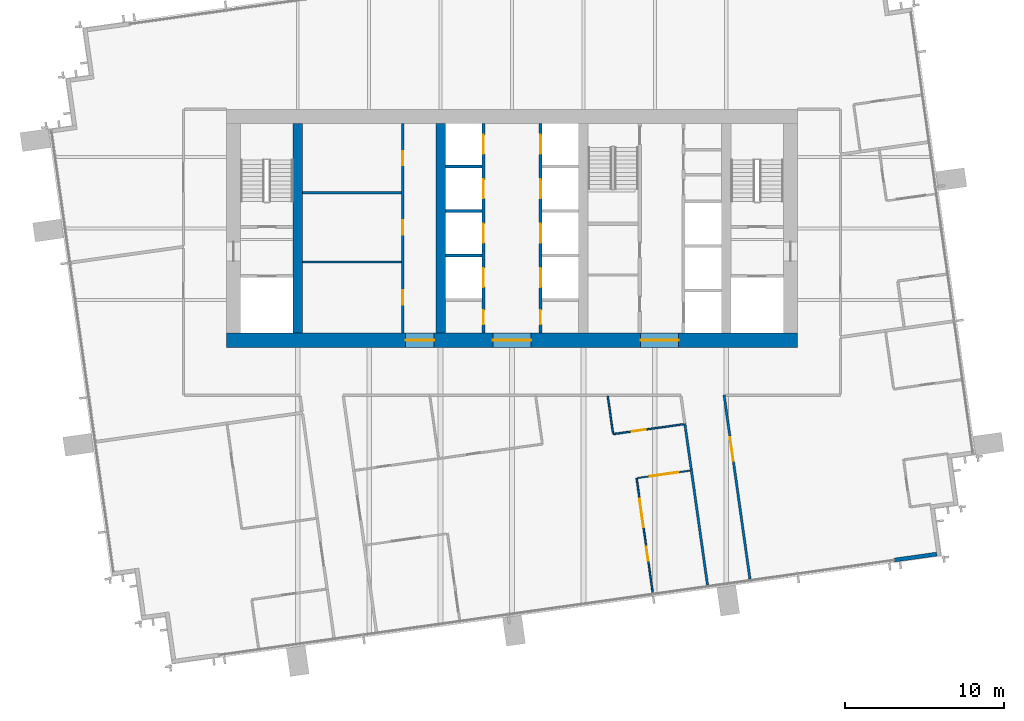
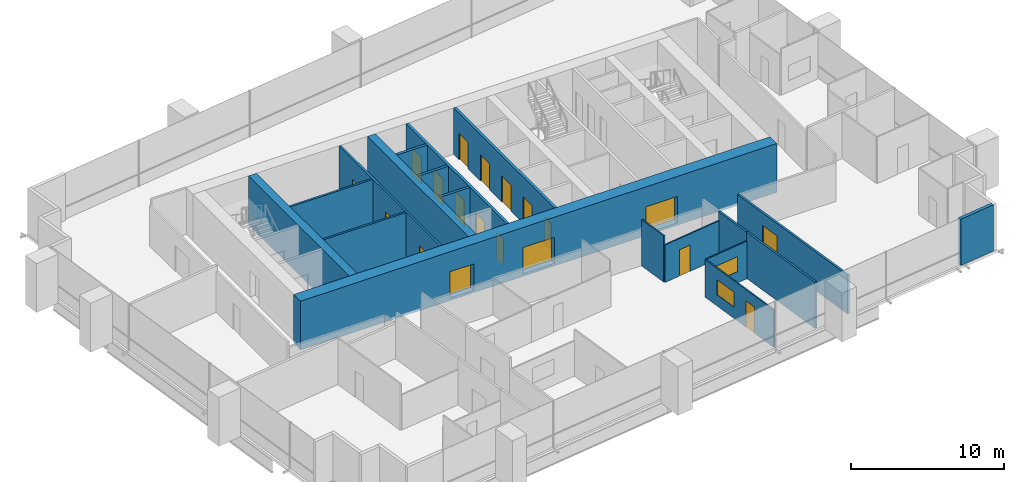
# One storey, part 10 of 14: 19 doors, 19 walls, 2 windows, 21 openings.
"""IFC4 building model written with IfcOpenShell, lengths in metres."""

from ifc_helpers import new_model, si_unit, direction, frame, frame_2d, origin, place, context, subcontext, project, spatial, rectangle, extrude, material, layer, layer_set, type_object, element, fill, save


model = new_model("IFC4")

# Units and contexts
model_context = context("Model", 3, precision=1e-05, world=origin(), true_north=direction((0.0, 1.0)))
body_context = subcontext(model_context, "Body", "Model", "MODEL_VIEW")
ifc_project = project(units=[si_unit("LENGTHUNIT", "METRE"), si_unit("AREAUNIT", "SQUARE_METRE"), si_unit("VOLUMEUNIT", "CUBIC_METRE"), si_unit("PLANEANGLEUNIT", "RADIAN"), si_unit("MASSUNIT", "GRAM", prefix="KILO")], contexts=[model_context])

# Site, building, storey
site_placement = place(None, origin())
site = spatial("IfcSite", under=ifc_project, at=site_placement, CompositionType="ELEMENT")
building_placement = place(site_placement, origin())
building = spatial("IfcBuilding", under=site, at=building_placement, Name="Rattan Terrace Tower", CompositionType="ELEMENT")
storey_placement = place(building_placement, frame((0.0, 0.0, 184.10009765625)))
storey = spatial("IfcBuildingStorey", under=building, at=storey_placement, Name="L42", CompositionType="ELEMENT", Elevation=184.10009765625)

# Wall, openings, doors
ifc_material_1 = material(Name="Gypsum board partition")
ifc_layer_1 = layer(ifc_material_1, 0.14990234375)
ifc_layer_set_1 = layer_set([ifc_layer_1], Name="Core partition 150")
wall_type_1 = type_object("IfcWallType", Name="Core partition 150", PredefinedType="PARTITIONING", material=ifc_layer_set_1)
wall_1_placement = place(storey_placement, frame((-6.875, -6.60009765625, 0.0), z_axis=(0.0, 0.0, 1.0), x_axis=(0.0, 1.0, 0.0)))
wall_1 = element("IfcWall", 1, at=wall_1_placement, inside=storey, type_object=wall_type_1, Name="Core room wall", PredefinedType="PARTITIONING", context=body_context, shape_type="SweptSolid", body=[
    extrude(rectangle(XDim=13.2001953125, YDim=0.14990234375, at=frame_2d((6.60009765625, 0.0))), origin(), (0.0, 0.0, 1.0), 3.699951171875),
])
opening_1_placement = place(wall_1_placement, frame((1.7939453125, 0.0, 0.0)))
opening_1 = element("IfcOpeningElement", 2, at=opening_1_placement, cuts=wall_1, Name="Opening L42-D005", PredefinedType="OPENING", context=body_context, shape_type="SweptSolid", body=[
    extrude(rectangle(XDim=0.89990234375, YDim=2.10009765625, at=frame_2d((0.449951171875, 1.050048828125))), frame((0.0, 0.08544921875, 0.0), z_axis=(0.0, -1.0, 0.0), x_axis=(1.0, 0.0, 0.0)), (0.0, 0.0, 1.0), 0.1708984375),
])
opening_2_placement = place(wall_1_placement, frame((6.216064453125, 0.0, 0.0)))
opening_2 = element("IfcOpeningElement", 3, at=opening_2_placement, cuts=wall_1, Name="Opening L42-D006", PredefinedType="OPENING", context=body_context, shape_type="SweptSolid", body=[
    extrude(rectangle(XDim=0.89990234375, YDim=2.10009765625, at=frame_2d((0.449951171875, 1.050048828125))), frame((0.0, 0.08544921875, 0.0), z_axis=(0.0, -1.0, 0.0), x_axis=(1.0, 0.0, 0.0)), (0.0, 0.0, 1.0), 0.1708984375),
])
opening_3_placement = place(wall_1_placement, frame((10.572021484375, 0.0, 0.0)))
opening_3 = element("IfcOpeningElement", 4, at=opening_3_placement, cuts=wall_1, Name="Opening L42-D007", PredefinedType="OPENING", context=body_context, shape_type="SweptSolid", body=[
    extrude(rectangle(XDim=0.89990234375, YDim=2.10009765625, at=frame_2d((0.449951171875, 1.050048828125))), frame((0.0, 0.08544921875, 0.0), z_axis=(0.0, -1.0, 0.0), x_axis=(1.0, 0.0, 0.0)), (0.0, 0.0, 1.0), 0.1708984375),
])
ifc_material_2 = material(Name="Hollow-metal fire door leaf")
door_type_1 = type_object("IfcDoorType", Name="Core service room door 900", OperationType="NOTDEFINED", PredefinedType="DOOR", material=ifc_material_2)
door_1_placement = place(opening_1_placement, origin())
door_1 = element("IfcDoor", 5, at=door_1_placement, inside=storey, type_object=door_type_1, Name="Door L42-D005", OperationType="SINGLE_SWING_LEFT", OverallHeight=2.10009765625, OverallWidth=0.89990234375, PredefinedType="DOOR", context=body_context, shape_type="SweptSolid", body=[
    extrude(rectangle(XDim=0.89990234375, YDim=2.10009765625, at=frame_2d((0.449951171875, 1.050048828125))), frame((0.0, 0.02490234375, 0.0), z_axis=(0.0, -1.0, 0.0), x_axis=(1.0, 0.0, 0.0)), (0.0, 0.0, 1.0), 0.050048828125),
])
fill(opening_1, door_1)
door_2_placement = place(opening_2_placement, origin())
door_2 = element("IfcDoor", 6, at=door_2_placement, inside=storey, type_object=door_type_1, Name="Door L42-D006", OperationType="SINGLE_SWING_RIGHT", OverallHeight=2.10009765625, OverallWidth=0.89990234375, PredefinedType="DOOR", context=body_context, shape_type="SweptSolid", body=[
    extrude(rectangle(XDim=0.89990234375, YDim=2.10009765625, at=frame_2d((0.449951171875, 1.050048828125))), frame((0.0, 0.02490234375, 0.0), z_axis=(0.0, -1.0, 0.0), x_axis=(1.0, 0.0, 0.0)), (0.0, 0.0, 1.0), 0.050048828125),
])
fill(opening_2, door_2)
door_3_placement = place(opening_3_placement, origin())
door_3 = element("IfcDoor", 7, at=door_3_placement, inside=storey, type_object=door_type_1, Name="Door L42-D007", OperationType="SINGLE_SWING_LEFT", OverallHeight=2.10009765625, OverallWidth=0.89990234375, PredefinedType="DOOR", context=body_context, shape_type="SweptSolid", body=[
    extrude(rectangle(XDim=0.89990234375, YDim=2.10009765625, at=frame_2d((0.449951171875, 1.050048828125))), frame((0.0, 0.02490234375, 0.0), z_axis=(0.0, -1.0, 0.0), x_axis=(1.0, 0.0, 0.0)), (0.0, 0.0, 1.0), 0.050048828125),
])
fill(opening_3, door_3)

# Walls
for number, where, z_axis, x_axis, name in (
    (8, (-13.199951171875, -2.112060546875, 0.0), (0.0, 0.0, 1.0), (1.0, 0.0, 0.0), "Core room wall"),
    (9, (-13.199951171875, 2.243896484375, 0.0), (0.0, 0.0, 1.0), (1.0, 0.0, 0.0), "Core room wall"),
):
    element("IfcWall", number, at=place(storey_placement, frame(where, z_axis=z_axis, x_axis=x_axis)), inside=storey, type_object=wall_type_1, Name=name, PredefinedType="PARTITIONING", context=body_context, shape_type="SweptSolid", body=[
        extrude(rectangle(XDim=6.25, YDim=0.14990234375, at=frame_2d((3.125, 0.0))), origin(), (0.0, 0.0, 1.0), 3.699951171875),
    ])

# Wall, openings, doors
ifc_material_3 = material(Name="Concrete C60/75", Category="concrete")
ifc_layer_2 = layer(ifc_material_3, 0.89990234375)
ifc_layer_set_2 = layer_set([ifc_layer_2], Name="Core ring wall 900 C60/75")
wall_type_2 = type_object("IfcWallType", Name="Core ring wall 900 C60/75", PredefinedType="SHEAR", material=ifc_layer_set_2)
wall_2_placement = place(storey_placement, frame((-18.0, -7.050048828125, -0.2001953125), z_axis=(0.0, 0.0, 1.0), x_axis=(1.0, 0.0, 0.0)))
wall_2 = element("IfcWall", 10, at=wall_2_placement, inside=storey, type_object=wall_type_2, Name="Rear core wall south", PredefinedType="SHEAR", context=body_context, shape_type="SweptSolid", body=[
    extrude(rectangle(XDim=36.0, YDim=0.89990234375, at=frame_2d((18.0, 0.0))), origin(), (0.0, 0.0, 1.0), 3.900146484375),
])
opening_4_placement = place(wall_2_placement, frame((11.300048828125, 0.0, 0.199951171875)))
opening_4 = element("IfcOpeningElement", 11, at=opening_4_placement, cuts=wall_2, Name="Opening L42-D008", PredefinedType="OPENING", context=body_context, shape_type="SweptSolid", body=[
    extrude(rectangle(XDim=1.800048828125, YDim=2.10009765625, at=frame_2d((0.89990234375, 1.050048828125))), frame((0.0, 0.46044921875, 0.0), z_axis=(0.0, -1.0, 0.0), x_axis=(1.0, 0.0, 0.0)), (0.0, 0.0, 1.0), 0.9208984375),
])
opening_5_placement = place(wall_2_placement, frame((16.800048828125, 0.0, 0.199951171875)))
opening_5 = element("IfcOpeningElement", 12, at=opening_5_placement, cuts=wall_2, Name="Opening L42-D011", PredefinedType="OPENING", context=body_context, shape_type="SweptSolid", body=[
    extrude(rectangle(XDim=2.39990234375, YDim=2.10009765625, at=frame_2d((1.199951171875, 1.050048828125))), frame((0.0, 0.46044921875, 0.0), z_axis=(0.0, -1.0, 0.0), x_axis=(1.0, 0.0, 0.0)), (0.0, 0.0, 1.0), 0.9208984375),
])
opening_6_placement = place(wall_2_placement, frame((26.10009765625, 0.0, 0.199951171875)))
opening_6 = element("IfcOpeningElement", 13, at=opening_6_placement, cuts=wall_2, Name="Opening L42-D015", PredefinedType="OPENING", context=body_context, shape_type="SweptSolid", body=[
    extrude(rectangle(XDim=2.39990234375, YDim=2.10009765625, at=frame_2d((1.199951171875, 1.050048828125))), frame((0.0, 0.46044921875, 0.0), z_axis=(0.0, -1.0, 0.0), x_axis=(1.0, 0.0, 0.0)), (0.0, 0.0, 1.0), 0.9208984375),
])
ifc_material_4 = material(Name="Hollow-metal fire door leaf")
door_type_2 = type_object("IfcDoorType", Name="Core lift lobby door 2400", OperationType="NOTDEFINED", PredefinedType="DOOR", material=ifc_material_4)
door_4_placement = place(opening_5_placement, origin())
door_4 = element("IfcDoor", 14, at=door_4_placement, inside=storey, type_object=door_type_2, Name="Door L42-D011", OperationType="DOUBLE_DOOR_DOUBLE_SWING", OverallHeight=2.10009765625, OverallWidth=2.39990234375, PredefinedType="DOOR", context=body_context, shape_type="SweptSolid", body=[
    extrude(rectangle(XDim=2.39990234375, YDim=2.10009765625, at=frame_2d((1.199951171875, 1.050048828125))), frame((0.0, 0.02490234375, 0.0), z_axis=(0.0, -1.0, 0.0), x_axis=(1.0, 0.0, 0.0)), (0.0, 0.0, 1.0), 0.050048828125),
])
fill(opening_5, door_4)
door_5_placement = place(opening_6_placement, origin())
door_5 = element("IfcDoor", 15, at=door_5_placement, inside=storey, type_object=door_type_2, Name="Door L42-D015", OperationType="DOUBLE_DOOR_DOUBLE_SWING", OverallHeight=2.10009765625, OverallWidth=2.39990234375, PredefinedType="DOOR", context=body_context, shape_type="SweptSolid", body=[
    extrude(rectangle(XDim=2.39990234375, YDim=2.10009765625, at=frame_2d((1.199951171875, 1.050048828125))), frame((0.0, 0.02490234375, 0.0), z_axis=(0.0, -1.0, 0.0), x_axis=(1.0, 0.0, 0.0)), (0.0, 0.0, 1.0), 0.050048828125),
])
fill(opening_6, door_5)
ifc_material_5 = material(Name="Hollow-metal fire door leaf")
door_type_3 = type_object("IfcDoorType", Name="Core service room door 1800", OperationType="NOTDEFINED", PredefinedType="DOOR", material=ifc_material_5)
door_6_placement = place(opening_4_placement, origin())
door_6 = element("IfcDoor", 16, at=door_6_placement, inside=storey, type_object=door_type_3, Name="Door L42-D008", OperationType="SINGLE_SWING_RIGHT", OverallHeight=2.10009765625, OverallWidth=1.800048828125, PredefinedType="DOOR", context=body_context, shape_type="SweptSolid", body=[
    extrude(rectangle(XDim=1.800048828125, YDim=2.10009765625, at=frame_2d((0.89990234375, 1.050048828125))), frame((0.0, 0.02490234375, 0.0), z_axis=(0.0, -1.0, 0.0), x_axis=(1.0, 0.0, 0.0)), (0.0, 0.0, 1.0), 0.050048828125),
])
fill(opening_4, door_6)

# Walls
ifc_material_6 = material(Name="Concrete C60/75", Category="concrete")
ifc_layer_3 = layer(ifc_material_6, 0.60009765625)
ifc_layer_set_3 = layer_set([ifc_layer_3], Name="Core spine wall 600 C60/75")
wall_type_3 = type_object("IfcWallType", Name="Core spine wall 600 C60/75", PredefinedType="SHEAR", material=ifc_layer_set_3)
for number, where, z_axis, x_axis, name in (
    (17, (-13.5, -6.60009765625, -0.2001953125), (0.0, 0.0, 1.0), (0.0, 1.0, 0.0), "Core spine wall 1"),
    (18, (-4.5, -6.60009765625, -0.2001953125), (0.0, 0.0, 1.0), (0.0, 1.0, 0.0), "Core spine wall 2"),
):
    element("IfcWall", number, at=place(storey_placement, frame(where, z_axis=z_axis, x_axis=x_axis)), inside=storey, type_object=wall_type_3, Name=name, PredefinedType="SHEAR", context=body_context, shape_type="SweptSolid", body=[
        extrude(rectangle(XDim=13.2001953125, YDim=0.60009765625, at=frame_2d((6.60009765625, 0.0))), origin(), (0.0, 0.0, 1.0), 3.900146484375),
    ])
ifc_material_7 = material(Name="Insulated aluminium-clad stud wall", Category="aluminium")
ifc_layer_4 = layer(ifc_material_7, 0.25)
ifc_layer_set_4 = layer_set([ifc_layer_4], Name="Facade Riser Wall 250")
wall_type_4 = type_object("IfcWallType", Name="Facade Riser Wall 250", PredefinedType="SOLIDWALL", material=ifc_layer_set_4)
wall_3_placement = place(storey_placement, frame((24.08544921875, -20.892578125, 0.0), z_axis=(0.0, 0.0, 1.0), x_axis=(0.990255800966, 0.139260362823, 0.0)))
element("IfcWall", 19, at=wall_3_placement, inside=storey, type_object=wall_type_4, Name="Riser wall L42-1", PredefinedType="SOLIDWALL", context=body_context, shape_type="SweptSolid", body=[
    extrude(rectangle(XDim=2.705078125, YDim=0.25, at=frame_2d((1.3525390625, 0.0))), origin(), (0.0, 0.0, 1.0), 3.699951171875),
])

# Wall, openings, door, window
ifc_material_8 = material(Name="Gypsum board partition on steel studs", Category="steel")
ifc_layer_5 = layer(ifc_material_8, 0.10009765625)
ifc_layer_set_5 = layer_set([ifc_layer_5], Name="Floors Partition 100")
wall_type_5 = type_object("IfcWallType", Name="Floors Partition 100", PredefinedType="PARTITIONING", material=ifc_layer_set_5)
wall_4_placement = place(storey_placement, frame((7.85205078125, -15.73095703125, 0.0), z_axis=(0.0, 0.0, 1.0), x_axis=(0.139143839005, -0.9902721808, 0.0)))
wall_4 = element("IfcWall", 20, at=wall_4_placement, inside=storey, type_object=wall_type_5, Name="pt-L42-051", PredefinedType="PARTITIONING", context=body_context, shape_type="SweptSolid", body=[
    extrude(rectangle(XDim=7.27978515625, YDim=0.10009765625, at=frame_2d((3.639892578125, 0.0))), origin(), (0.0, 0.0, 1.0), 3.0),
])
opening_7_placement = place(wall_4_placement, frame((4.365966796875, 0.0, 0.0)))
opening_7 = element("IfcOpeningElement", 21, at=opening_7_placement, cuts=wall_4, Name="Opening L42-D114", PredefinedType="OPENING", context=body_context, shape_type="SweptSolid", body=[
    extrude(rectangle(XDim=0.89990234375, YDim=2.10009765625, at=frame_2d((0.449951171875, 1.050048828125))), frame((0.0, 0.060546875, 0.0), z_axis=(0.0, -1.0, 0.0), x_axis=(1.0, 0.0, 0.0)), (0.0, 0.0, 1.0), 0.12109375),
])
opening_8_placement = place(wall_4_placement, frame((1.30810546875, 0.0, 0.89990234375)))
opening_8 = element("IfcOpeningElement", 22, at=opening_8_placement, cuts=wall_4, Name="Opening L42-W103", PredefinedType="OPENING", context=body_context, shape_type="SweptSolid", body=[
    extrude(rectangle(XDim=1.800048828125, YDim=1.199951171875, at=frame_2d((0.89990234375, 0.60009765625))), frame((0.0, 0.060546875, 0.0), z_axis=(0.0, -1.0, 0.0), x_axis=(1.0, 0.0, 0.0)), (0.0, 0.0, 1.0), 0.12109375),
])
ifc_material_9 = material(Name="Solid core timber door, painted", Category="wood")
door_type_4 = type_object("IfcDoorType", Name="Floors Door 900x2100", OperationType="NOTDEFINED", PredefinedType="DOOR", material=ifc_material_9)
door_7_placement = place(opening_7_placement, origin())
door_7 = element("IfcDoor", 23, at=door_7_placement, inside=storey, type_object=door_type_4, Name="d-L42-114", OperationType="SINGLE_SWING_RIGHT", OverallHeight=2.10009765625, OverallWidth=0.89990234375, PredefinedType="DOOR", context=body_context, shape_type="SweptSolid", body=[
    extrude(rectangle(XDim=0.89990234375, YDim=2.10009765625, at=frame_2d((0.449951171875, 1.050048828125))), frame((0.0, 0.02490234375, 0.0), z_axis=(0.0, -1.0, 0.0), x_axis=(1.0, 0.0, 0.0)), (0.0, 0.0, 1.0), 0.050048828125),
])
fill(opening_7, door_7)
ifc_material_10 = material(Name="Glass, clear, fixed in aluminium frame", Category="aluminium")
window_type = type_object("IfcWindowType", Name="Interior Vision Window 1800x1200", PartitioningType="SINGLE_PANEL", PredefinedType="WINDOW", material=ifc_material_10)
window_1_placement = place(opening_8_placement, origin())
window_1 = element("IfcWindow", 24, at=window_1_placement, inside=storey, type_object=window_type, Name="w-L42-103", OverallHeight=1.199951171875, OverallWidth=1.800048828125, PartitioningType="SINGLE_PANEL", PredefinedType="WINDOW", context=body_context, shape_type="SweptSolid", body=[
    extrude(rectangle(XDim=1.800048828125, YDim=1.199951171875, at=frame_2d((0.89990234375, 0.60009765625))), frame((0.0, 0.030029296875, 0.0), z_axis=(0.0, -1.0, 0.0), x_axis=(1.0, 0.0, 0.0)), (0.0, 0.0, 1.0), 0.06005859375),
])
fill(opening_8, window_1)

# Wall, opening, window
wall_5_placement = place(storey_placement, frame((11.22900390625, -15.256103515625, 0.0), z_axis=(0.0, 0.0, 1.0), x_axis=(-0.990256578838, -0.139254831399, 0.0)))
wall_5 = element("IfcWall", 25, at=wall_5_placement, inside=storey, type_object=wall_type_5, Name="pt-L42-052", PredefinedType="PARTITIONING", context=body_context, shape_type="SweptSolid", body=[
    extrude(rectangle(XDim=3.36083984375, YDim=0.10009765625, at=frame_2d((1.680419921875, 0.0))), origin(), (0.0, 0.0, 1.0), 3.0),
])
opening_9_placement = place(wall_5_placement, frame((0.780029296875, 0.0, 0.89990234375)))
opening_9 = element("IfcOpeningElement", 26, at=opening_9_placement, cuts=wall_5, Name="Opening L42-W104", PredefinedType="OPENING", context=body_context, shape_type="SweptSolid", body=[
    extrude(rectangle(XDim=1.800048828125, YDim=1.199951171875, at=frame_2d((0.89990234375, 0.60009765625))), frame((0.0, 0.060546875, 0.0), z_axis=(0.0, -1.0, 0.0), x_axis=(1.0, 0.0, 0.0)), (0.0, 0.0, 1.0), 0.12109375),
])
window_2_placement = place(opening_9_placement, origin())
window_2 = element("IfcWindow", 27, at=window_2_placement, inside=storey, type_object=window_type, Name="w-L42-104", OverallHeight=1.199951171875, OverallWidth=1.800048828125, PartitioningType="SINGLE_PANEL", PredefinedType="WINDOW", context=body_context, shape_type="SweptSolid", body=[
    extrude(rectangle(XDim=1.800048828125, YDim=1.199951171875, at=frame_2d((0.89990234375, 0.60009765625))), frame((0.0, 0.030029296875, 0.0), z_axis=(0.0, -1.0, 0.0), x_axis=(1.0, 0.0, 0.0)), (0.0, 0.0, 1.0), 0.06005859375),
])
fill(opening_9, window_2)

# Wall
wall_6_placement = place(storey_placement, frame((6.034912109375, -10.568115234375, 0.0), z_axis=(0.0, 0.0, 1.0), x_axis=(0.139280161334, -0.990253016486, 0.0)))
element("IfcWall", 28, at=wall_6_placement, inside=storey, type_object=wall_type_5, Name="pt-L42-056", PredefinedType="PARTITIONING", context=body_context, shape_type="SweptSolid", body=[
    extrude(rectangle(XDim=2.36279296875, YDim=0.10009765625, at=frame_2d((1.181396484375, 0.0))), origin(), (0.0, 0.0, 1.0), 3.699951171875),
])

# Wall, opening, door
wall_7_placement = place(storey_placement, frame((6.37109375, -12.95703125, 0.0), z_axis=(0.0, 0.0, 1.0), x_axis=(0.990271914732, 0.139145732571, 0.0)))
wall_7 = element("IfcWall", 29, at=wall_7_placement, inside=storey, type_object=wall_type_5, Name="pt-L42-057", PredefinedType="PARTITIONING", context=body_context, shape_type="SweptSolid", body=[
    extrude(rectangle(XDim=4.49169921875, YDim=0.10009765625, at=frame_2d((2.245849609375, 0.0))), origin(), (0.0, 0.0, 1.0), 3.0),
])
opening_10_placement = place(wall_7_placement, frame((1.177001953125, 0.0, 0.0)))
opening_10 = element("IfcOpeningElement", 30, at=opening_10_placement, cuts=wall_7, Name="Opening L42-D117", PredefinedType="OPENING", context=body_context, shape_type="SweptSolid", body=[
    extrude(rectangle(XDim=0.89990234375, YDim=2.10009765625, at=frame_2d((0.449951171875, 1.050048828125))), frame((0.0, 0.060546875, 0.0), z_axis=(0.0, -1.0, 0.0), x_axis=(1.0, 0.0, 0.0)), (0.0, 0.0, 1.0), 0.12109375),
])
door_8_placement = place(opening_10_placement, origin())
door_8 = element("IfcDoor", 31, at=door_8_placement, inside=storey, type_object=door_type_4, Name="d-L42-117", OperationType="SINGLE_SWING_LEFT", OverallHeight=2.10009765625, OverallWidth=0.89990234375, PredefinedType="DOOR", context=body_context, shape_type="SweptSolid", body=[
    extrude(rectangle(XDim=0.89990234375, YDim=2.10009765625, at=frame_2d((0.449951171875, 1.050048828125))), frame((0.0, 0.02490234375, 0.0), z_axis=(0.0, -1.0, 0.0), x_axis=(1.0, 0.0, 0.0)), (0.0, 0.0, 1.0), 0.050048828125),
])
fill(opening_10, door_8)

ifc_material_11 = material(Name="Gypsum board partition on steel studs, fire rated", Category="steel")
ifc_layer_6 = layer(ifc_material_11, 0.14990234375)
ifc_layer_set_6 = layer_set([ifc_layer_6], Name="Floors Tenancy Wall 150")
wall_type_6 = type_object("IfcWallType", Name="Floors Tenancy Wall 150", PredefinedType="PARTITIONING", material=ifc_layer_set_6)
wall_8_placement = place(storey_placement, frame((13.363037109375, -10.5, 0.0), z_axis=(0.0, 0.0, 1.0), x_axis=(0.139211326844, -0.990262695692, 0.0)))
wall_8 = element("IfcWall", 32, at=wall_8_placement, inside=storey, type_object=wall_type_6, Name="pt-L42-004", PredefinedType="PARTITIONING", context=body_context, shape_type="SweptSolid", body=[
    extrude(rectangle(XDim=11.69384765625, YDim=0.14990234375, at=frame_2d((5.846923828125, 0.0))), origin(), (0.0, 0.0, 1.0), 3.099853515625),
])
opening_11_placement = place(wall_8_placement, frame((2.673095703125, 0.0, 0.0)))
opening_11 = element("IfcOpeningElement", 33, at=opening_11_placement, cuts=wall_8, Name="Opening L42-D103", PredefinedType="OPENING", context=body_context, shape_type="SweptSolid", body=[
    extrude(rectangle(XDim=1.5, YDim=2.10009765625, at=frame_2d((0.75, 1.050048828125))), frame((0.0, 0.08544921875, 0.0), z_axis=(0.0, -1.0, 0.0), x_axis=(1.0, 0.0, 0.0)), (0.0, 0.0, 1.0), 0.1708984375),
])
ifc_material_12 = material(Name="Steel fire door set", Category="steel")
door_type_5 = type_object("IfcDoorType", Name="Floors Unit Door Pair FD30S 1500x2100", OperationType="NOTDEFINED", PredefinedType="DOOR", material=ifc_material_12)
door_9_placement = place(opening_11_placement, origin())
door_9 = element("IfcDoor", 34, at=door_9_placement, inside=storey, type_object=door_type_5, Name="d-L42-103", OperationType="DOUBLE_DOOR_SINGLE_SWING", OverallHeight=2.10009765625, OverallWidth=1.5, PredefinedType="DOOR", context=body_context, shape_type="SweptSolid", body=[
    extrude(rectangle(XDim=1.5, YDim=2.10009765625, at=frame_2d((0.75, 1.050048828125))), frame((0.0, 0.02490234375, 0.0), z_axis=(0.0, -1.0, 0.0), x_axis=(1.0, 0.0, 0.0)), (0.0, 0.0, 1.0), 0.050048828125),
])
fill(opening_11, door_9)

# Walls
wall_9_placement = place(storey_placement, frame((11.301025390625, -15.22607421875, 0.0), z_axis=(0.0, 0.0, 1.0), x_axis=(-0.139233295347, 0.990259607107, 0.0)))
element("IfcWall", 35, at=wall_9_placement, inside=storey, type_object=wall_type_6, Name="pt-L42-017", PredefinedType="PARTITIONING", context=body_context, shape_type="SweptSolid", body=[
    extrude(rectangle(XDim=2.952880859375, YDim=0.14990234375, at=frame_2d((1.4765625, 0.0))), origin(), (0.0, 0.0, 1.0), 3.699951171875),
])
wall_10_placement = place(storey_placement, frame((12.31689453125, -22.4560546875, 0.0), z_axis=(0.0, 0.0, 1.0), x_axis=(-0.139141087095, 0.990272567469, 0.0)))
element("IfcWall", 36, at=wall_10_placement, inside=storey, type_object=wall_type_6, Name="pt-L42-019", PredefinedType="PARTITIONING", context=body_context, shape_type="SweptSolid", body=[
    extrude(rectangle(XDim=7.301025390625, YDim=0.14990234375, at=frame_2d((3.650390625, 0.0))), origin(), (0.0, 0.0, 1.0), 3.699951171875),
])

# Wall, openings, doors
ifc_material_13 = material(Name="Gypsum shaft wall system")
ifc_layer_7 = layer(ifc_material_13, 0.199951171875)
ifc_layer_set_7 = layer_set([ifc_layer_7], Name="Lift shaft wall 200")
wall_type_7 = type_object("IfcWallType", Name="Lift shaft wall 200", PredefinedType="PARTITIONING", material=ifc_layer_set_7)
wall_11_placement = place(storey_placement, frame((-1.800048828125, -6.60009765625, 0.0), z_axis=(0.0, 0.0, 1.0), x_axis=(0.0, 1.0, 0.0)))
wall_11 = element("IfcWall", 37, at=wall_11_placement, inside=storey, type_object=wall_type_7, Name="Lift shaft front wall", PredefinedType="PARTITIONING", context=body_context, shape_type="SweptSolid", body=[
    extrude(rectangle(XDim=13.2001953125, YDim=0.199951171875, at=frame_2d((6.60009765625, 0.0))), origin(), (0.0, 0.0, 1.0), 3.699951171875),
])
opening_12_placement = place(wall_11_placement, frame((0.550048828125, 0.0, 0.0)))
opening_12 = element("IfcOpeningElement", 38, at=opening_12_placement, cuts=wall_11, Name="Opening L42-D009", PredefinedType="OPENING", context=body_context, shape_type="SweptSolid", body=[
    extrude(rectangle(XDim=0.89990234375, YDim=2.10009765625, at=frame_2d((0.449951171875, 1.050048828125))), frame((0.0, 0.110595703125, 0.0), z_axis=(0.0, -1.0, 0.0), x_axis=(1.0, 0.0, 0.0)), (0.0, 0.0, 1.0), 0.220947265625),
])
opening_13_placement = place(wall_11_placement, frame((2.89990234375, 0.0, 0.0)))
opening_13 = element("IfcOpeningElement", 39, at=opening_13_placement, cuts=wall_11, Name="Opening L42-LD-HR1", PredefinedType="OPENING", context=body_context, shape_type="SweptSolid", body=[
    extrude(rectangle(XDim=1.199951171875, YDim=2.10009765625, at=frame_2d((0.60009765625, 1.050048828125))), frame((0.0, 0.110595703125, 0.0), z_axis=(0.0, -1.0, 0.0), x_axis=(1.0, 0.0, 0.0)), (0.0, 0.0, 1.0), 0.220947265625),
])
opening_14_placement = place(wall_11_placement, frame((5.699951171875, 0.0, 0.0)))
opening_14 = element("IfcOpeningElement", 40, at=opening_14_placement, cuts=wall_11, Name="Opening L42-LD-HR2", PredefinedType="OPENING", context=body_context, shape_type="SweptSolid", body=[
    extrude(rectangle(XDim=1.199951171875, YDim=2.10009765625, at=frame_2d((0.60009765625, 1.050048828125))), frame((0.0, 0.110595703125, 0.0), z_axis=(0.0, -1.0, 0.0), x_axis=(1.0, 0.0, 0.0)), (0.0, 0.0, 1.0), 0.220947265625),
])
opening_15_placement = place(wall_11_placement, frame((8.5, 0.0, 0.0)))
opening_15 = element("IfcOpeningElement", 41, at=opening_15_placement, cuts=wall_11, Name="Opening L42-LD-HR3", PredefinedType="OPENING", context=body_context, shape_type="SweptSolid", body=[
    extrude(rectangle(XDim=1.199951171875, YDim=2.10009765625, at=frame_2d((0.60009765625, 1.050048828125))), frame((0.0, 0.110595703125, 0.0), z_axis=(0.0, -1.0, 0.0), x_axis=(1.0, 0.0, 0.0)), (0.0, 0.0, 1.0), 0.220947265625),
])
opening_16_placement = place(wall_11_placement, frame((11.300048828125, 0.0, 0.0)))
opening_16 = element("IfcOpeningElement", 42, at=opening_16_placement, cuts=wall_11, Name="Opening L42-LD-HR4", PredefinedType="OPENING", context=body_context, shape_type="SweptSolid", body=[
    extrude(rectangle(XDim=1.199951171875, YDim=2.10009765625, at=frame_2d((0.60009765625, 1.050048828125))), frame((0.0, 0.110595703125, 0.0), z_axis=(0.0, -1.0, 0.0), x_axis=(1.0, 0.0, 0.0)), (0.0, 0.0, 1.0), 0.220947265625),
])
ifc_material_14 = material(Name="Brushed stainless landing door panel")
door_type_6 = type_object("IfcDoorType", Name="Core lift landing door 1200", OperationType="DOUBLE_DOOR_SLIDING", PredefinedType="DOOR", material=ifc_material_14)
door_10_placement = place(opening_13_placement, origin())
door_10 = element("IfcDoor", 43, at=door_10_placement, inside=storey, type_object=door_type_6, Name="Door L42-LD-HR1", OperationType="DOUBLE_DOOR_SLIDING", OverallHeight=2.10009765625, OverallWidth=1.199951171875, PredefinedType="DOOR", context=body_context, shape_type="SweptSolid", body=[
    extrude(rectangle(XDim=1.199951171875, YDim=2.10009765625, at=frame_2d((0.60009765625, 1.050048828125))), frame((0.0, 0.02490234375, 0.0), z_axis=(0.0, -1.0, 0.0), x_axis=(1.0, 0.0, 0.0)), (0.0, 0.0, 1.0), 0.050048828125),
])
fill(opening_13, door_10)
door_11_placement = place(opening_14_placement, origin())
door_11 = element("IfcDoor", 44, at=door_11_placement, inside=storey, type_object=door_type_6, Name="Door L42-LD-HR2", OperationType="DOUBLE_DOOR_SLIDING", OverallHeight=2.10009765625, OverallWidth=1.199951171875, PredefinedType="DOOR", context=body_context, shape_type="SweptSolid", body=[
    extrude(rectangle(XDim=1.199951171875, YDim=2.10009765625, at=frame_2d((0.60009765625, 1.050048828125))), frame((0.0, 0.02490234375, 0.0), z_axis=(0.0, -1.0, 0.0), x_axis=(1.0, 0.0, 0.0)), (0.0, 0.0, 1.0), 0.050048828125),
])
fill(opening_14, door_11)
door_12_placement = place(opening_15_placement, origin())
door_12 = element("IfcDoor", 45, at=door_12_placement, inside=storey, type_object=door_type_6, Name="Door L42-LD-HR3", OperationType="DOUBLE_DOOR_SLIDING", OverallHeight=2.10009765625, OverallWidth=1.199951171875, PredefinedType="DOOR", context=body_context, shape_type="SweptSolid", body=[
    extrude(rectangle(XDim=1.199951171875, YDim=2.10009765625, at=frame_2d((0.60009765625, 1.050048828125))), frame((0.0, 0.02490234375, 0.0), z_axis=(0.0, -1.0, 0.0), x_axis=(1.0, 0.0, 0.0)), (0.0, 0.0, 1.0), 0.050048828125),
])
fill(opening_15, door_12)
door_13_placement = place(opening_16_placement, origin())
door_13 = element("IfcDoor", 46, at=door_13_placement, inside=storey, type_object=door_type_6, Name="Door L42-LD-HR4", OperationType="DOUBLE_DOOR_SLIDING", OverallHeight=2.10009765625, OverallWidth=1.199951171875, PredefinedType="DOOR", context=body_context, shape_type="SweptSolid", body=[
    extrude(rectangle(XDim=1.199951171875, YDim=2.10009765625, at=frame_2d((0.60009765625, 1.050048828125))), frame((0.0, 0.02490234375, 0.0), z_axis=(0.0, -1.0, 0.0), x_axis=(1.0, 0.0, 0.0)), (0.0, 0.0, 1.0), 0.050048828125),
])
fill(opening_16, door_13)
ifc_material_15 = material(Name="Hollow-metal fire door leaf")
door_type_7 = type_object("IfcDoorType", Name="Core riser door 900", OperationType="NOTDEFINED", PredefinedType="DOOR", material=ifc_material_15)
door_14_placement = place(opening_12_placement, origin())
door_14 = element("IfcDoor", 47, at=door_14_placement, inside=storey, type_object=door_type_7, Name="Door L42-D009", OperationType="SINGLE_SWING_LEFT", OverallHeight=2.10009765625, OverallWidth=0.89990234375, PredefinedType="DOOR", context=body_context, shape_type="SweptSolid", body=[
    extrude(rectangle(XDim=0.89990234375, YDim=2.10009765625, at=frame_2d((0.449951171875, 1.050048828125))), frame((0.0, 0.02490234375, 0.0), z_axis=(0.0, -1.0, 0.0), x_axis=(1.0, 0.0, 0.0)), (0.0, 0.0, 1.0), 0.050048828125),
])
fill(opening_12, door_14)

wall_12_placement = place(storey_placement, frame((1.800048828125, -6.60009765625, 0.0), z_axis=(0.0, 0.0, 1.0), x_axis=(0.0, 1.0, 0.0)))
wall_12 = element("IfcWall", 48, at=wall_12_placement, inside=storey, type_object=wall_type_7, Name="Lift shaft front wall", PredefinedType="PARTITIONING", context=body_context, shape_type="SweptSolid", body=[
    extrude(rectangle(XDim=13.2001953125, YDim=0.199951171875, at=frame_2d((6.60009765625, 0.0))), origin(), (0.0, 0.0, 1.0), 3.699951171875),
])
opening_17_placement = place(wall_12_placement, frame((0.550048828125, 0.0, 0.0)))
opening_17 = element("IfcOpeningElement", 49, at=opening_17_placement, cuts=wall_12, Name="Opening L42-D010", PredefinedType="OPENING", context=body_context, shape_type="SweptSolid", body=[
    extrude(rectangle(XDim=0.89990234375, YDim=2.10009765625, at=frame_2d((0.449951171875, 1.050048828125))), frame((0.0, 0.110595703125, 0.0), z_axis=(0.0, -1.0, 0.0), x_axis=(1.0, 0.0, 0.0)), (0.0, 0.0, 1.0), 0.220947265625),
])
opening_18_placement = place(wall_12_placement, frame((2.89990234375, 0.0, 0.0)))
opening_18 = element("IfcOpeningElement", 50, at=opening_18_placement, cuts=wall_12, Name="Opening L42-LD-HR5", PredefinedType="OPENING", context=body_context, shape_type="SweptSolid", body=[
    extrude(rectangle(XDim=1.199951171875, YDim=2.10009765625, at=frame_2d((0.60009765625, 1.050048828125))), frame((0.0, 0.110595703125, 0.0), z_axis=(0.0, -1.0, 0.0), x_axis=(1.0, 0.0, 0.0)), (0.0, 0.0, 1.0), 0.220947265625),
])
opening_19_placement = place(wall_12_placement, frame((5.699951171875, 0.0, 0.0)))
opening_19 = element("IfcOpeningElement", 51, at=opening_19_placement, cuts=wall_12, Name="Opening L42-LD-HR6", PredefinedType="OPENING", context=body_context, shape_type="SweptSolid", body=[
    extrude(rectangle(XDim=1.199951171875, YDim=2.10009765625, at=frame_2d((0.60009765625, 1.050048828125))), frame((0.0, 0.110595703125, 0.0), z_axis=(0.0, -1.0, 0.0), x_axis=(1.0, 0.0, 0.0)), (0.0, 0.0, 1.0), 0.220947265625),
])
opening_20_placement = place(wall_12_placement, frame((8.5, 0.0, 0.0)))
opening_20 = element("IfcOpeningElement", 52, at=opening_20_placement, cuts=wall_12, Name="Opening L42-LD-HR7", PredefinedType="OPENING", context=body_context, shape_type="SweptSolid", body=[
    extrude(rectangle(XDim=1.199951171875, YDim=2.10009765625, at=frame_2d((0.60009765625, 1.050048828125))), frame((0.0, 0.110595703125, 0.0), z_axis=(0.0, -1.0, 0.0), x_axis=(1.0, 0.0, 0.0)), (0.0, 0.0, 1.0), 0.220947265625),
])
opening_21_placement = place(wall_12_placement, frame((11.300048828125, 0.0, 0.0)))
opening_21 = element("IfcOpeningElement", 53, at=opening_21_placement, cuts=wall_12, Name="Opening L42-LD-HR8", PredefinedType="OPENING", context=body_context, shape_type="SweptSolid", body=[
    extrude(rectangle(XDim=1.199951171875, YDim=2.10009765625, at=frame_2d((0.60009765625, 1.050048828125))), frame((0.0, 0.110595703125, 0.0), z_axis=(0.0, -1.0, 0.0), x_axis=(1.0, 0.0, 0.0)), (0.0, 0.0, 1.0), 0.220947265625),
])
door_15_placement = place(opening_18_placement, origin())
door_15 = element("IfcDoor", 54, at=door_15_placement, inside=storey, type_object=door_type_6, Name="Door L42-LD-HR5", OperationType="DOUBLE_DOOR_SLIDING", OverallHeight=2.10009765625, OverallWidth=1.199951171875, PredefinedType="DOOR", context=body_context, shape_type="SweptSolid", body=[
    extrude(rectangle(XDim=1.199951171875, YDim=2.10009765625, at=frame_2d((0.60009765625, 1.050048828125))), frame((0.0, 0.02490234375, 0.0), z_axis=(0.0, -1.0, 0.0), x_axis=(1.0, 0.0, 0.0)), (0.0, 0.0, 1.0), 0.050048828125),
])
fill(opening_18, door_15)
door_16_placement = place(opening_19_placement, origin())
door_16 = element("IfcDoor", 55, at=door_16_placement, inside=storey, type_object=door_type_6, Name="Door L42-LD-HR6", OperationType="DOUBLE_DOOR_SLIDING", OverallHeight=2.10009765625, OverallWidth=1.199951171875, PredefinedType="DOOR", context=body_context, shape_type="SweptSolid", body=[
    extrude(rectangle(XDim=1.199951171875, YDim=2.10009765625, at=frame_2d((0.60009765625, 1.050048828125))), frame((0.0, 0.02490234375, 0.0), z_axis=(0.0, -1.0, 0.0), x_axis=(1.0, 0.0, 0.0)), (0.0, 0.0, 1.0), 0.050048828125),
])
fill(opening_19, door_16)
door_17_placement = place(opening_20_placement, origin())
door_17 = element("IfcDoor", 56, at=door_17_placement, inside=storey, type_object=door_type_6, Name="Door L42-LD-HR7", OperationType="DOUBLE_DOOR_SLIDING", OverallHeight=2.10009765625, OverallWidth=1.199951171875, PredefinedType="DOOR", context=body_context, shape_type="SweptSolid", body=[
    extrude(rectangle(XDim=1.199951171875, YDim=2.10009765625, at=frame_2d((0.60009765625, 1.050048828125))), frame((0.0, 0.02490234375, 0.0), z_axis=(0.0, -1.0, 0.0), x_axis=(1.0, 0.0, 0.0)), (0.0, 0.0, 1.0), 0.050048828125),
])
fill(opening_20, door_17)
door_18_placement = place(opening_21_placement, origin())
door_18 = element("IfcDoor", 57, at=door_18_placement, inside=storey, type_object=door_type_6, Name="Door L42-LD-HR8", OperationType="DOUBLE_DOOR_SLIDING", OverallHeight=2.10009765625, OverallWidth=1.199951171875, PredefinedType="DOOR", context=body_context, shape_type="SweptSolid", body=[
    extrude(rectangle(XDim=1.199951171875, YDim=2.10009765625, at=frame_2d((0.60009765625, 1.050048828125))), frame((0.0, 0.02490234375, 0.0), z_axis=(0.0, -1.0, 0.0), x_axis=(1.0, 0.0, 0.0)), (0.0, 0.0, 1.0), 0.050048828125),
])
fill(opening_21, door_18)
door_19_placement = place(opening_17_placement, origin())
door_19 = element("IfcDoor", 58, at=door_19_placement, inside=storey, type_object=door_type_7, Name="Door L42-D010", OperationType="SINGLE_SWING_RIGHT", OverallHeight=2.10009765625, OverallWidth=0.89990234375, PredefinedType="DOOR", context=body_context, shape_type="SweptSolid", body=[
    extrude(rectangle(XDim=0.89990234375, YDim=2.10009765625, at=frame_2d((0.449951171875, 1.050048828125))), frame((0.0, 0.02490234375, 0.0), z_axis=(0.0, -1.0, 0.0), x_axis=(1.0, 0.0, 0.0)), (0.0, 0.0, 1.0), 0.050048828125),
])
fill(opening_17, door_19)

# Walls
for number, where, z_axis, x_axis, name in (
    (59, (-4.199951171875, -1.699951171875, 0.0), (0.0, 0.0, 1.0), (1.0, 0.0, 0.0), "Lift shaft wall"),
    (60, (-4.199951171875, 1.10009765625, 0.0), (0.0, 0.0, 1.0), (1.0, 0.0, 0.0), "Lift shaft wall"),
    (61, (-4.199951171875, 3.89990234375, 0.0), (0.0, 0.0, 1.0), (1.0, 0.0, 0.0), "Lift shaft wall"),
):
    element("IfcWall", number, at=place(storey_placement, frame(where, z_axis=z_axis, x_axis=x_axis)), inside=storey, type_object=wall_type_7, Name=name, PredefinedType="PARTITIONING", context=body_context, shape_type="SweptSolid", body=[
        extrude(rectangle(XDim=2.300048828125, YDim=0.199951171875, at=frame_2d((1.14990234375, 0.0))), origin(), (0.0, 0.0, 1.0), 3.699951171875),
    ])

save(model, "model.ifc")
